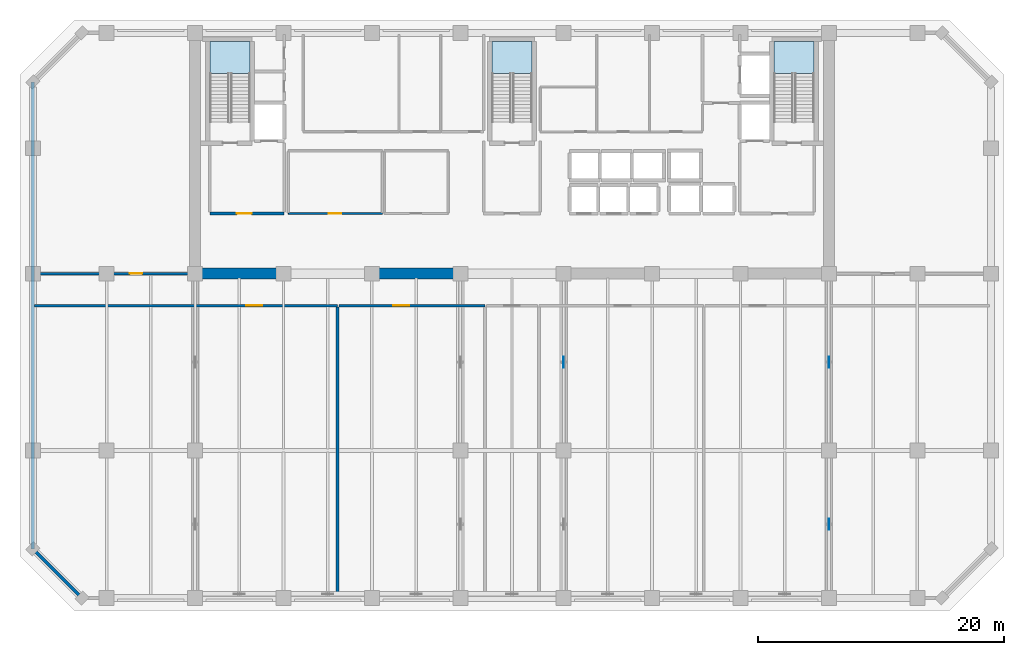
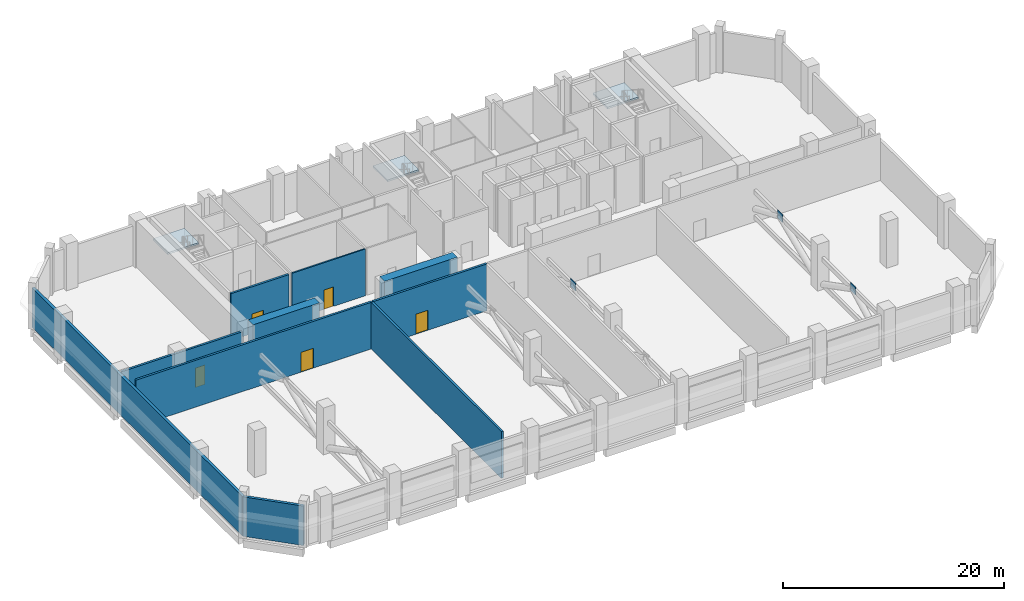
# One storey, part 6 of 13: 10 walls, 5 doors, 3 plates, 3 slabs, 5 openings, 3 elements without a shape of their own.
"""IFC4 building model written with IfcOpenShell, lengths in metres."""

from ifc_helpers import new_model, si_unit, direction, frame, frame_2d, origin, origin_2d, place, context, subcontext, project, spatial, polyline, rectangle, outline, extrude, material, layer, layer_set, type_object, element, fill, aggregate, save


model = new_model("IFC4")

# Units and contexts
model_context = context("Model", 3, precision=1e-05, world=origin(), true_north=direction((0.0, 1.0)))
body_context = subcontext(model_context, "Body", "Model", "MODEL_VIEW")
ifc_project = project(units=[si_unit("LENGTHUNIT", "METRE"), si_unit("AREAUNIT", "SQUARE_METRE"), si_unit("VOLUMEUNIT", "CUBIC_METRE"), si_unit("PLANEANGLEUNIT", "RADIAN"), si_unit("MASSUNIT", "GRAM", prefix="KILO")], contexts=[model_context])

# Site, building, storey
site_placement = place(None, origin())
site = spatial("IfcSite", under=ifc_project, at=site_placement, CompositionType="ELEMENT")
building_placement = place(site_placement, origin())
building = spatial("IfcBuilding", under=site, at=building_placement, Name="Kaelvorn Grand Hotel", CompositionType="ELEMENT")
storey_placement = place(building_placement, frame((0.0, 0.0, 184.75)))
storey = spatial("IfcBuildingStorey", under=building, at=storey_placement, Name="L45", CompositionType="ELEMENT", Elevation=184.75)

# Plates
ifc_material_1 = material(Name="Steel S460", Category="steel")
ifc_layer_1 = layer(ifc_material_1, 0.0400390625)
ifc_layer_set_1 = layer_set([ifc_layer_1], Name="Steel S460")
plate_type = type_object("IfcPlateType", Name="PL-GUSSET-40-S460", PredefinedType="USERDEFINED", material=ifc_layer_set_1)
for number, where, z_axis, x_axis, name in (
    (1, (46.199951171875, 22.199951171875, 2.900146484375), (0.0, 0.0, 1.0), (1.0, 0.0, 0.0), "L45 Outrigger Gusset End-Cap Plate 3.2"),
    (2, (67.800048828125, 9.0, 2.900146484375), (0.0, 0.0, 1.0), (1.0, 0.0, 0.0), "L45 Outrigger Gusset End-Cap Plate 4.1"),
    (3, (67.800048828125, 22.199951171875, 2.900146484375), (0.0, 0.0, 1.0), (1.0, 0.0, 0.0), "L45 Outrigger Gusset End-Cap Plate 4.2"),
):
    element("IfcPlate", number, at=place(storey_placement, frame(where, z_axis=z_axis, x_axis=x_axis)), inside=storey, type_object=plate_type, Name=name, ObjectType="GUSSET_PLATE", PredefinedType="USERDEFINED", context=body_context, shape_type="SweptSolid", body=[
        extrude(rectangle(XDim=0.0400390625, YDim=0.89990234375, at=origin_2d()), origin(), (0.0, 0.0, 1.0), 0.89990234375),
    ])

# Stair, slab
ifc_material_2 = material(Name="Concrete C40/50", Category="concrete")
stair_type = type_object("IfcStairType", Name="STR-DOG-1560-R04", PredefinedType="HALF_TURN_STAIR", material=ifc_material_2)
stair_1_placement = place(storey_placement, origin())
stair_1 = element("IfcStair", 4, at=stair_1_placement, inside=storey, type_object=stair_type, Name="L45 West Core Exit Stair ST1", PredefinedType="HALF_TURN_STAIR")
ifc_layer_2 = layer(ifc_material_2, 0.199951171875)
ifc_layer_set_2 = layer_set([ifc_layer_2], Name="Concrete C40/50")
slab_type = type_object("IfcSlabType", Name="SLB-LAND-200-C40", PredefinedType="LANDING", material=ifc_layer_set_2)
slab_1_placement = place(storey_placement, frame((0.0, 0.0, 2.5)))
slab_1 = element("IfcSlab", 5, at=slab_1_placement, type_object=slab_type, Name="ST1 landing 1", PredefinedType="LANDING", context=body_context, shape_type="SweptSolid", body=[
    extrude(outline(polyline([(20.679931640625, 45.679931640625), (20.679931640625, 48.300048828125), (17.39990234375, 48.300048828125), (17.39990234375, 45.679931640625), (20.679931640625, 45.679931640625)])), origin(), (0.0, 0.0, 1.0), 0.199951171875),
])
aggregate(stair_1, [slab_1])

stair_2_placement = place(storey_placement, origin())
stair_2 = element("IfcStair", 6, at=stair_2_placement, inside=storey, type_object=stair_type, Name="L45 Central Core Exit Stair ST2", PredefinedType="HALF_TURN_STAIR")
slab_2_placement = place(storey_placement, frame((0.0, 0.0, 2.5)))
slab_2 = element("IfcSlab", 7, at=slab_2_placement, type_object=slab_type, Name="ST2 landing 1", PredefinedType="LANDING", context=body_context, shape_type="SweptSolid", body=[
    extrude(outline(polyline([(43.639892578125, 45.679931640625), (43.639892578125, 48.300048828125), (40.360107421875, 48.300048828125), (40.360107421875, 45.679931640625), (43.639892578125, 45.679931640625)])), origin(), (0.0, 0.0, 1.0), 0.199951171875),
])
aggregate(stair_2, [slab_2])

stair_3_placement = place(storey_placement, origin())
stair_3 = element("IfcStair", 8, at=stair_3_placement, inside=storey, type_object=stair_type, Name="L45 East Core Exit Stair ST3", PredefinedType="HALF_TURN_STAIR")
slab_3_placement = place(storey_placement, frame((0.0, 0.0, 2.5)))
slab_3 = element("IfcSlab", 9, at=slab_3_placement, type_object=slab_type, Name="ST3 landing 1", PredefinedType="LANDING", context=body_context, shape_type="SweptSolid", body=[
    extrude(outline(polyline([(66.60009765625, 45.679931640625), (66.60009765625, 48.300048828125), (63.320068359375, 48.300048828125), (63.320068359375, 45.679931640625), (66.60009765625, 45.679931640625)])), origin(), (0.0, 0.0, 1.0), 0.199951171875),
])
aggregate(stair_3, [slab_3])

# Walls
ifc_material_3 = material(Name="Concrete C60/75", Category="concrete")
ifc_layer_3 = layer(ifc_material_3, 0.89990234375)
ifc_layer_set_3 = layer_set([ifc_layer_3], Name="Concrete C60/75")
wall_type_1 = type_object("IfcWallType", Name="WL-CORE-900-C60", PredefinedType="SHEAR", material=ifc_layer_set_3)
wall_1_placement = place(storey_placement, frame((16.655029296875, 29.39990234375, 0.0), z_axis=(0.0, 0.0, 1.0), x_axis=(1.0, 0.0, 0.0)))
element("IfcWall", 10, at=wall_1_placement, inside=storey, type_object=wall_type_1, Name="L45 Rear-Core Coupled Shear Pier S1", PredefinedType="SHEAR", context=body_context, shape_type="SweptSolid", body=[
    extrude(rectangle(XDim=6.945068359375, YDim=0.89990234375, at=frame_2d((3.47265625, 0.0))), origin(), (0.0, 0.0, 1.0), 5.159912109375),
])
wall_2_placement = place(storey_placement, frame((30.39990234375, 29.39990234375, 0.0), z_axis=(0.0, 0.0, 1.0), x_axis=(1.0, 0.0, 0.0)))
element("IfcWall", 11, at=wall_2_placement, inside=storey, type_object=wall_type_1, Name="L45 Rear-Core Coupled Shear Pier S2", PredefinedType="SHEAR", context=body_context, shape_type="SweptSolid", body=[
    extrude(rectangle(XDim=7.60009765625, YDim=0.89990234375, at=frame_2d((3.800048828125, 0.0))), origin(), (0.0, 0.0, 1.0), 5.159912109375),
])
ifc_layer_4 = layer(ifc_material_2, 0.280029296875)
ifc_layer_set_4 = layer_set([ifc_layer_4], Name="Concrete C40/50")
wall_type_2 = type_object("IfcWallType", Name="WL-EXT-280-C40", PredefinedType="SOLIDWALL", material=ifc_layer_set_4)
wall_3_placement = place(storey_placement, frame((3.0, 45.0, 0.0), z_axis=(0.0, 0.0, 1.0), x_axis=(0.0, -1.0, 0.0)))
element("IfcWall", 12, at=wall_3_placement, inside=storey, type_object=wall_type_2, Name="L45 Exterior Architectural Concrete Wall 07", PredefinedType="SOLIDWALL", context=body_context, shape_type="SweptSolid", body=[
    extrude(rectangle(XDim=38.0, YDim=0.280029296875, at=frame_2d((19.0, 0.0))), origin(), (0.0, 0.0, 1.0), 4.360107421875),
])
wall_4_placement = place(storey_placement, frame((3.0, 7.0, 0.0), z_axis=(0.0, 0.0, 1.0), x_axis=(0.707106781187, -0.707106781187, 0.0)))
element("IfcWall", 13, at=wall_4_placement, inside=storey, type_object=wall_type_2, Name="L45 Exterior Architectural Concrete Wall 08", PredefinedType="SOLIDWALL", context=body_context, shape_type="SweptSolid", body=[
    extrude(rectangle(XDim=5.65673828125, YDim=0.280029296875, at=frame_2d((2.828369140625, 0.0))), origin(), (0.0, 0.0, 1.0), 4.360107421875),
])

# Wall, opening, door
ifc_material_4 = material(Name="Acoustic Gypsum & Stud Partition")
ifc_layer_5 = layer(ifc_material_4, 0.14990234375)
ifc_layer_set_5 = layer_set([ifc_layer_5], Name="Acoustic Gypsum & Stud Partition")
wall_type_3 = type_object("IfcWallType", Name="WL-PART-150-EI60", PredefinedType="PARTITIONING", material=ifc_layer_set_5)
wall_5_placement = place(storey_placement, frame((23.800048828125, 34.300048828125, 0.0), z_axis=(0.0, 0.0, 1.0), x_axis=(1.0, 0.0, 0.0)))
wall_5 = element("IfcWall", 14, at=wall_5_placement, inside=storey, type_object=wall_type_3, Name="L45 Executive Club Sitting Lounge S Partition", PredefinedType="PARTITIONING", context=body_context, shape_type="SweptSolid", body=[
    extrude(rectangle(XDim=7.64990234375, YDim=0.14990234375, at=frame_2d((3.824951171875, 0.0))), origin(), (0.0, 0.0, 1.0), 5.159912109375),
])
opening_1_placement = place(wall_5_placement, frame((3.300048828125, 0.0, 0.0)))
opening_1 = element("IfcOpeningElement", 15, at=opening_1_placement, cuts=wall_5, Name="Opening DI3", PredefinedType="OPENING", context=body_context, shape_type="SweptSolid", body=[
    extrude(rectangle(XDim=1.0, YDim=2.14990234375, at=frame_2d((0.5, 1.074951171875))), frame((0.0, 0.0849609375, 0.0), z_axis=(0.0, -1.0, 0.0), x_axis=(1.0, 0.0, 0.0)), (0.0, 0.0, 1.0), 0.169921875),
])
ifc_material_5 = material(Name="Timber Veneer Fire Leaf", Category="wood")
door_type_1 = type_object("IfcDoorType", Name="DR-INT-GUEST-1000x2150", OperationType="NOTDEFINED", PredefinedType="DOOR", material=ifc_material_5)
door_1_placement = place(opening_1_placement, origin())
door_1 = element("IfcDoor", 16, at=door_1_placement, inside=storey, type_object=door_type_1, Name="L45 Executive Club Sitting Lounge Door", OperationType="SINGLE_SWING_LEFT", OverallHeight=2.14990234375, OverallWidth=1.0, PredefinedType="DOOR", context=body_context, shape_type="SweptSolid", body=[
    extrude(rectangle(XDim=1.0, YDim=2.14990234375, at=frame_2d((0.5, 1.074951171875))), frame((0.0, 0.02490234375, 0.0), z_axis=(0.0, -1.0, 0.0), x_axis=(1.0, 0.0, 0.0)), (0.0, 0.0, 1.0), 0.050048828125),
])
fill(opening_1, door_1)

ifc_layer_6 = layer(ifc_material_2, 0.219970703125)
ifc_layer_set_6 = layer_set([ifc_layer_6], Name="Concrete C40/50")
wall_type_4 = type_object("IfcWallType", Name="WL-PART-220-EI120", PredefinedType="PARTITIONING", material=ifc_layer_set_6)
wall_6_placement = place(storey_placement, frame((17.39990234375, 34.300048828125, 0.0), z_axis=(0.0, 0.0, 1.0), x_axis=(1.0, 0.0, 0.0)))
wall_6 = element("IfcWall", 17, at=wall_6_placement, inside=storey, type_object=wall_type_4, Name="L45 Firefighting Lift Lobby 1 S Partition", PredefinedType="PARTITIONING", context=body_context, shape_type="SweptSolid", body=[
    extrude(rectangle(XDim=6.050048828125, YDim=0.219970703125, at=frame_2d((3.02490234375, 0.0))), origin(), (0.0, 0.0, 1.0), 5.159912109375),
])
opening_2_placement = place(wall_6_placement, frame((2.199951171875, 0.0, 0.0)))
opening_2 = element("IfcOpeningElement", 18, at=opening_2_placement, cuts=wall_6, Name="Opening DI2", PredefinedType="OPENING", context=body_context, shape_type="SweptSolid", body=[
    extrude(rectangle(XDim=1.199951171875, YDim=2.14990234375, at=frame_2d((0.60009765625, 1.074951171875))), frame((0.0, 0.1201171875, 0.0), z_axis=(0.0, -1.0, 0.0), x_axis=(1.0, 0.0, 0.0)), (0.0, 0.0, 1.0), 0.239990234375),
])
door_type_2 = type_object("IfcDoorType", Name="DR-INT-FFLOB-1200x2150", OperationType="NOTDEFINED", PredefinedType="DOOR", material=ifc_material_5)
door_2_placement = place(opening_2_placement, origin())
door_2 = element("IfcDoor", 19, at=door_2_placement, inside=storey, type_object=door_type_2, Name="L45 Firefighting Lift Lobby 1 Door", OperationType="SINGLE_SWING_RIGHT", OverallHeight=2.14990234375, OverallWidth=1.199951171875, PredefinedType="DOOR", context=body_context, shape_type="SweptSolid", body=[
    extrude(rectangle(XDim=1.199951171875, YDim=2.14990234375, at=frame_2d((0.60009765625, 1.074951171875))), frame((0.0, 0.02490234375, 0.0), z_axis=(0.0, -1.0, 0.0), x_axis=(1.0, 0.0, 0.0)), (0.0, 0.0, 1.0), 0.050048828125),
])
fill(opening_2, door_2)

wall_7_placement = place(storey_placement, frame((3.14990234375, 29.39990234375, 0.0), z_axis=(0.0, 0.0, 1.0), x_axis=(1.0, 0.0, 0.0)))
wall_7 = element("IfcWall", 20, at=wall_7_placement, inside=storey, type_object=wall_type_4, Name="L45 North-West Refuge Area S Partition", PredefinedType="PARTITIONING", context=body_context, shape_type="SweptSolid", body=[
    extrude(rectangle(XDim=12.59521484375, YDim=0.219970703125, at=frame_2d((6.297607421875, 0.0))), origin(), (0.0, 0.0, 1.0), 4.510009765625),
])
opening_3_placement = place(wall_7_placement, frame((7.75, 0.0, 0.0)))
opening_3 = element("IfcOpeningElement", 21, at=opening_3_placement, cuts=wall_7, Name="Opening DI3", PredefinedType="OPENING", context=body_context, shape_type="SweptSolid", body=[
    extrude(rectangle(XDim=1.0, YDim=2.14990234375, at=frame_2d((0.5, 1.074951171875))), frame((0.0, 0.1201171875, 0.0), z_axis=(0.0, -1.0, 0.0), x_axis=(1.0, 0.0, 0.0)), (0.0, 0.0, 1.0), 0.239990234375),
])
door_3_placement = place(opening_3_placement, origin())
door_3 = element("IfcDoor", 22, at=door_3_placement, inside=storey, type_object=door_type_1, Name="L45 North-West Refuge Area Door", OperationType="SINGLE_SWING_RIGHT", OverallHeight=2.14990234375, OverallWidth=1.0, PredefinedType="DOOR", context=body_context, shape_type="SweptSolid", body=[
    extrude(rectangle(XDim=1.0, YDim=2.14990234375, at=frame_2d((0.5, 1.074951171875))), frame((0.0, 0.02490234375, 0.0), z_axis=(0.0, -1.0, 0.0), x_axis=(1.0, 0.0, 0.0)), (0.0, 0.0, 1.0), 0.050048828125),
])
fill(opening_3, door_3)

wall_8_placement = place(storey_placement, frame((3.14990234375, 26.800048828125, 0.0), z_axis=(0.0, 0.0, 1.0), x_axis=(1.0, 0.0, 0.0)))
wall_8 = element("IfcWall", 23, at=wall_8_placement, inside=storey, type_object=wall_type_4, Name="L45 Chilled-Water Heat Exchanger Plant Room N Partition", PredefinedType="PARTITIONING", context=body_context, shape_type="SweptSolid", body=[
    extrude(rectangle(XDim=24.650146484375, YDim=0.219970703125, at=frame_2d((12.3251953125, 0.0))), origin(), (0.0, 0.0, 1.0), 5.159912109375),
])
opening_4_placement = place(wall_8_placement, frame((17.199951171875, 0.0, 0.0)))
opening_4 = element("IfcOpeningElement", 24, at=opening_4_placement, cuts=wall_8, Name="Opening DI6", PredefinedType="OPENING", context=body_context, shape_type="SweptSolid", body=[
    extrude(rectangle(XDim=1.300048828125, YDim=2.199951171875, at=frame_2d((0.64990234375, 1.10009765625))), frame((0.0, 0.1201171875, 0.0), z_axis=(0.0, -1.0, 0.0), x_axis=(1.0, 0.0, 0.0)), (0.0, 0.0, 1.0), 0.239990234375),
])
ifc_material_6 = material(Name="Powder-Coated Steel Leaf", Category="steel")
door_type_3 = type_object("IfcDoorType", Name="DR-INT-PLANT-1300x2200", OperationType="DOUBLE_DOOR_SINGLE_SWING", PredefinedType="DOOR", material=ifc_material_6)
door_4_placement = place(opening_4_placement, origin())
door_4 = element("IfcDoor", 25, at=door_4_placement, inside=storey, type_object=door_type_3, Name="L45 Chilled-Water Heat Exchanger Plant Room Door", OperationType="DOUBLE_DOOR_SINGLE_SWING", OverallHeight=2.199951171875, OverallWidth=1.300048828125, PredefinedType="DOOR", context=body_context, shape_type="SweptSolid", body=[
    extrude(rectangle(XDim=1.300048828125, YDim=2.199951171875, at=frame_2d((0.64990234375, 1.10009765625))), frame((0.0, 0.02490234375, 0.0), z_axis=(0.0, -1.0, 0.0), x_axis=(1.0, 0.0, 0.0)), (0.0, 0.0, 1.0), 0.050048828125),
])
fill(opening_4, door_4)

# Wall
wall_9_placement = place(storey_placement, frame((27.800048828125, 3.14990234375, 0.0), z_axis=(0.0, 0.0, 1.0), x_axis=(0.0, 1.0, 0.0)))
element("IfcWall", 26, at=wall_9_placement, inside=storey, type_object=wall_type_4, Name="L45 Chilled-Water Heat Exchanger Plant Room E Partition", PredefinedType="PARTITIONING", context=body_context, shape_type="SweptSolid", body=[
    extrude(rectangle(XDim=23.53515625, YDim=0.219970703125, at=frame_2d((11.767578125, 0.0))), origin(), (0.0, 0.0, 1.0), 5.159912109375),
])

# Wall, opening, door
wall_10_placement = place(storey_placement, frame((27.9150390625, 26.800048828125, 0.0), z_axis=(0.0, 0.0, 1.0), x_axis=(1.0, 0.0, 0.0)))
wall_10 = element("IfcWall", 27, at=wall_10_placement, inside=storey, type_object=wall_type_4, Name="L45 AHU Mechanical Ventilation Plant Room N Partition", PredefinedType="PARTITIONING", context=body_context, shape_type="SweptSolid", body=[
    extrude(rectangle(XDim=11.885009765625, YDim=0.219970703125, at=frame_2d((5.9423828125, 0.0))), origin(), (0.0, 0.0, 1.0), 5.159912109375),
])
opening_5_placement = place(wall_10_placement, frame((4.43505859375, 0.0, 0.0)))
opening_5 = element("IfcOpeningElement", 28, at=opening_5_placement, cuts=wall_10, Name="Opening DI6", PredefinedType="OPENING", context=body_context, shape_type="SweptSolid", body=[
    extrude(rectangle(XDim=1.300048828125, YDim=2.199951171875, at=frame_2d((0.64990234375, 1.10009765625))), frame((0.0, 0.1201171875, 0.0), z_axis=(0.0, -1.0, 0.0), x_axis=(1.0, 0.0, 0.0)), (0.0, 0.0, 1.0), 0.239990234375),
])
door_5_placement = place(opening_5_placement, origin())
door_5 = element("IfcDoor", 29, at=door_5_placement, inside=storey, type_object=door_type_3, Name="L45 AHU Mechanical Ventilation Plant Room Door", OperationType="DOUBLE_DOOR_SINGLE_SWING", OverallHeight=2.199951171875, OverallWidth=1.300048828125, PredefinedType="DOOR", context=body_context, shape_type="SweptSolid", body=[
    extrude(rectangle(XDim=1.300048828125, YDim=2.199951171875, at=frame_2d((0.64990234375, 1.10009765625))), frame((0.0, 0.02490234375, 0.0), z_axis=(0.0, -1.0, 0.0), x_axis=(1.0, 0.0, 0.0)), (0.0, 0.0, 1.0), 0.050048828125),
])
fill(opening_5, door_5)

save(model, "model.ifc")
